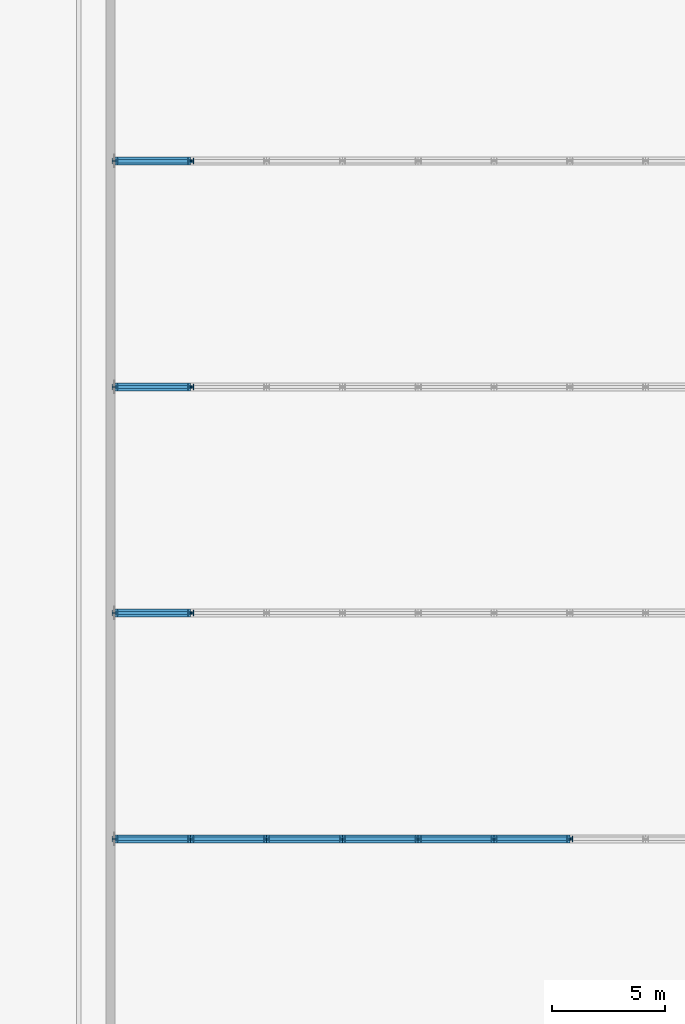
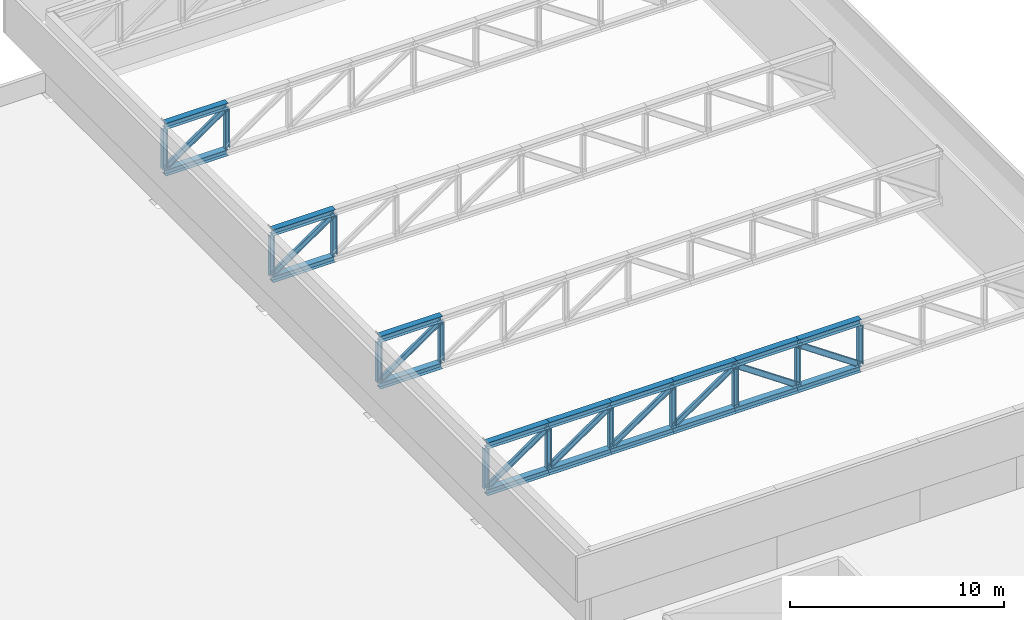
# One storey, part 10 of 31: 40 members.
"""IFC4 building model written with IfcOpenShell, lengths in metres."""

from ifc_helpers import new_model, si_unit, direction, frame, origin, origin_2d, place, context, subcontext, project, spatial, i_section, extrude, material, material_profile, profile_set, type_object, element, save


model = new_model("IFC4")

# Units and contexts
model_context = context("Model", 3, precision=1e-05, world=origin(), true_north=direction((0.0, 1.0)))
body_context = subcontext(model_context, "Body", "Model", "MODEL_VIEW")
ifc_project = project(units=[si_unit("LENGTHUNIT", "METRE"), si_unit("AREAUNIT", "SQUARE_METRE"), si_unit("VOLUMEUNIT", "CUBIC_METRE"), si_unit("PLANEANGLEUNIT", "RADIAN"), si_unit("MASSUNIT", "GRAM", prefix="KILO")], contexts=[model_context])

# Site, building, storey
site_placement = place(None, origin())
site = spatial("IfcSite", under=ifc_project, at=site_placement, CompositionType="ELEMENT")
building_placement = place(site_placement, origin())
building = spatial("IfcBuilding", under=site, at=building_placement, Name="Jabali Bay Hotel Tower and Convention Centre", CompositionType="ELEMENT")
storey_placement = place(building_placement, frame((0.0, 0.0, 25.39990234375)))
storey = spatial("IfcBuildingStorey", under=building, at=storey_placement, Name="L04", CompositionType="ELEMENT", Elevation=25.39990234375)

# Members
ifc_material = material(Name="Steel Q355B", Category="steel")
ifc_material_profile_1 = material_profile(ifc_material, i_section(OverallWidth=0.35009765625, OverallDepth=0.35009765625, WebThickness=0.011962890625, FlangeThickness=0.01904296875, at=origin_2d()), Name="HW350x350x12x19")
ifc_profile_set_1 = profile_set([ifc_material_profile_1], Name="Steel Q355B")
member_type_1 = type_object("IfcMemberType", Name="CC Roof Truss Chord HW350x350x12x19", PredefinedType="CHORD", material=ifc_profile_set_1)
for number, where, z_axis, x_axis, name in (
    (1, (220.89990234375, 70.0, 4.3251953125), (1.0, 0.0, 0.0), (0.0, 1.0, 0.0), "CC roof truss P1 top chord 1"),
    (2, (220.89990234375, 70.0, 1.675048828125), (1.0, 0.0, 0.0), (0.0, 1.0, 0.0), "CC roof truss P1 bottom chord 1"),
):
    element("IfcMember", number, at=place(storey_placement, frame(where, z_axis=z_axis, x_axis=x_axis)), inside=storey, type_object=member_type_1, Name=name, PredefinedType="CHORD", context=body_context, shape_type="SweptSolid", body=[
        extrude(i_section(OverallWidth=0.35009765625, OverallDepth=0.35009765625, WebThickness=0.011962890625, FlangeThickness=0.01904296875, at=origin_2d()), origin(), (0.0, 0.0, 1.0), 3.355712890625),
    ])
for number, where, z_axis, x_axis, name in (
    (3, (224.255615234375, 70.0, 4.3251953125), (1.0, 0.0, 0.0), (0.0, 1.0, 0.0), "CC roof truss P1 top chord 2"),
    (4, (224.255615234375, 70.0, 1.675048828125), (1.0, 0.0, 0.0), (0.0, 1.0, 0.0), "CC roof truss P1 bottom chord 2"),
    (5, (227.611083984375, 70.0, 4.3251953125), (1.0, 0.0, 0.0), (0.0, 1.0, 0.0), "CC roof truss P1 top chord 3"),
    (6, (227.611083984375, 70.0, 1.675048828125), (1.0, 0.0, 0.0), (0.0, 1.0, 0.0), "CC roof truss P1 bottom chord 3"),
):
    element("IfcMember", number, at=place(storey_placement, frame(where, z_axis=z_axis, x_axis=x_axis)), inside=storey, type_object=member_type_1, Name=name, PredefinedType="CHORD", context=body_context, shape_type="SweptSolid", body=[
        extrude(i_section(OverallWidth=0.35009765625, OverallDepth=0.35009765625, WebThickness=0.011962890625, FlangeThickness=0.01904296875, at=origin_2d()), origin(), (0.0, 0.0, 1.0), 3.35546875),
    ])
for number, where, z_axis, x_axis, name in (
    (7, (230.966552734375, 70.0, 4.3251953125), (1.0, 0.0, 0.0), (0.0, 1.0, 0.0), "CC roof truss P1 top chord 4"),
    (8, (230.966552734375, 70.0, 1.675048828125), (1.0, 0.0, 0.0), (0.0, 1.0, 0.0), "CC roof truss P1 bottom chord 4"),
):
    element("IfcMember", number, at=place(storey_placement, frame(where, z_axis=z_axis, x_axis=x_axis)), inside=storey, type_object=member_type_1, Name=name, PredefinedType="CHORD", context=body_context, shape_type="SweptSolid", body=[
        extrude(i_section(OverallWidth=0.35009765625, OverallDepth=0.35009765625, WebThickness=0.011962890625, FlangeThickness=0.01904296875, at=origin_2d()), origin(), (0.0, 0.0, 1.0), 3.355712890625),
    ])
for number, where, z_axis, x_axis, name in (
    (9, (234.322265625, 70.0, 4.3251953125), (1.0, 0.0, 0.0), (0.0, 1.0, 0.0), "CC roof truss P1 top chord 5"),
    (10, (234.322265625, 70.0, 1.675048828125), (1.0, 0.0, 0.0), (0.0, 1.0, 0.0), "CC roof truss P1 bottom chord 5"),
):
    element("IfcMember", number, at=place(storey_placement, frame(where, z_axis=z_axis, x_axis=x_axis)), inside=storey, type_object=member_type_1, Name=name, PredefinedType="CHORD", context=body_context, shape_type="SweptSolid", body=[
        extrude(i_section(OverallWidth=0.35009765625, OverallDepth=0.35009765625, WebThickness=0.011962890625, FlangeThickness=0.01904296875, at=origin_2d()), origin(), (0.0, 0.0, 1.0), 3.35546875),
    ])
for number, where, z_axis, x_axis, name in (
    (11, (237.677734375, 70.0, 4.3251953125), (1.0, 0.0, 0.0), (0.0, 1.0, 0.0), "CC roof truss P1 top chord 6"),
    (12, (237.677734375, 70.0, 1.675048828125), (1.0, 0.0, 0.0), (0.0, 1.0, 0.0), "CC roof truss P1 bottom chord 6"),
    (13, (220.89990234375, 80.0, 4.3251953125), (1.0, 0.0, 0.0), (0.0, 1.0, 0.0), "CC roof truss P2 top chord 1"),
    (14, (220.89990234375, 80.0, 1.675048828125), (1.0, 0.0, 0.0), (0.0, 1.0, 0.0), "CC roof truss P2 bottom chord 1"),
    (15, (220.89990234375, 90.0, 4.3251953125), (1.0, 0.0, 0.0), (0.0, 1.0, 0.0), "CC roof truss P3 top chord 1"),
    (16, (220.89990234375, 90.0, 1.675048828125), (1.0, 0.0, 0.0), (0.0, 1.0, 0.0), "CC roof truss P3 bottom chord 1"),
    (17, (220.89990234375, 100.0, 4.3251953125), (1.0, 0.0, 0.0), (0.0, 1.0, 0.0), "CC roof truss P4 top chord 1"),
    (18, (220.89990234375, 100.0, 1.675048828125), (1.0, 0.0, 0.0), (0.0, 1.0, 0.0), "CC roof truss P4 bottom chord 1"),
):
    element("IfcMember", number, at=place(storey_placement, frame(where, z_axis=z_axis, x_axis=x_axis)), inside=storey, type_object=member_type_1, Name=name, PredefinedType="CHORD", context=body_context, shape_type="SweptSolid", body=[
        extrude(i_section(OverallWidth=0.35009765625, OverallDepth=0.35009765625, WebThickness=0.011962890625, FlangeThickness=0.01904296875, at=origin_2d()), origin(), (0.0, 0.0, 1.0), 3.355712890625),
    ])
ifc_material_profile_2 = material_profile(ifc_material, i_section(OverallWidth=0.14990234375, OverallDepth=0.300048828125, WebThickness=0.006591796875, FlangeThickness=0.009033203125, at=origin_2d()), Name="HN300x150x6.5x9")
ifc_profile_set_2 = profile_set([ifc_material_profile_2], Name="Steel Q355B")
member_type_2 = type_object("IfcMemberType", Name="CC Roof Truss Diagonal HN300x150x6.5x9", PredefinedType="BRACE", material=ifc_profile_set_2)
member_1_placement = place(storey_placement, frame((220.89990234375, 70.0, 1.85009765625), z_axis=(0.824844790455, 0.0, 0.565359241243), x_axis=(0.0, 1.0, 0.0)))
element("IfcMember", 19, at=member_1_placement, inside=storey, type_object=member_type_2, Name="CC roof truss P1 diagonal 1", PredefinedType="BRACE", context=body_context, shape_type="SweptSolid", body=[
    extrude(i_section(OverallWidth=0.14990234375, OverallDepth=0.300048828125, WebThickness=0.006591796875, FlangeThickness=0.009033203125, at=origin_2d()), origin(), (0.0, 0.0, 1.0), 4.068359375),
])
for number, where, z_axis, x_axis, name in (
    (20, (224.255615234375, 70.0, 1.85009765625), (0.8248256078, 0.0, 0.565387227232), (0.0, 1.0, 0.0), "CC roof truss P1 diagonal 2"),
    (21, (227.611083984375, 70.0, 1.85009765625), (0.8248256078, 0.0, 0.565387227232), (0.0, 1.0, 0.0), "CC roof truss P1 diagonal 3"),
):
    element("IfcMember", number, at=place(storey_placement, frame(where, z_axis=z_axis, x_axis=x_axis)), inside=storey, type_object=member_type_2, Name=name, PredefinedType="BRACE", context=body_context, shape_type="SweptSolid", body=[
        extrude(i_section(OverallWidth=0.14990234375, OverallDepth=0.300048828125, WebThickness=0.006591796875, FlangeThickness=0.009033203125, at=origin_2d()), origin(), (0.0, 0.0, 1.0), 4.068115234375),
    ])
member_2_placement = place(storey_placement, frame((230.966552734375, 70.0, 1.85009765625), z_axis=(0.824844790455, 0.0, 0.565359241243), x_axis=(0.0, 1.0, 0.0)))
element("IfcMember", 22, at=member_2_placement, inside=storey, type_object=member_type_2, Name="CC roof truss P1 diagonal 4", PredefinedType="BRACE", context=body_context, shape_type="SweptSolid", body=[
    extrude(i_section(OverallWidth=0.14990234375, OverallDepth=0.300048828125, WebThickness=0.006591796875, FlangeThickness=0.009033203125, at=origin_2d()), origin(), (0.0, 0.0, 1.0), 4.068359375),
])
member_3_placement = place(storey_placement, frame((237.677734375, 70.0, 1.85009765625), z_axis=(-0.8248256078, 0.0, 0.565387227232), x_axis=(0.0, -1.0, 0.0)))
element("IfcMember", 23, at=member_3_placement, inside=storey, type_object=member_type_2, Name="CC roof truss P1 diagonal 5", PredefinedType="BRACE", context=body_context, shape_type="SweptSolid", body=[
    extrude(i_section(OverallWidth=0.14990234375, OverallDepth=0.300048828125, WebThickness=0.006591796875, FlangeThickness=0.009033203125, at=origin_2d()), origin(), (0.0, 0.0, 1.0), 4.068115234375),
])
for number, where, z_axis, x_axis, name in (
    (24, (241.033447265625, 70.0, 1.85009765625), (-0.824844790455, 0.0, 0.565359241243), (0.0, -1.0, 0.0), "CC roof truss P1 diagonal 6"),
    (25, (220.89990234375, 80.0, 1.85009765625), (0.824844790455, 0.0, 0.565359241243), (0.0, 1.0, 0.0), "CC roof truss P2 diagonal 1"),
    (26, (220.89990234375, 90.0, 1.85009765625), (0.824844790455, 0.0, 0.565359241243), (0.0, 1.0, 0.0), "CC roof truss P3 diagonal 1"),
    (27, (220.89990234375, 100.0, 1.85009765625), (0.824844790455, 0.0, 0.565359241243), (0.0, 1.0, 0.0), "CC roof truss P4 diagonal 1"),
):
    element("IfcMember", number, at=place(storey_placement, frame(where, z_axis=z_axis, x_axis=x_axis)), inside=storey, type_object=member_type_2, Name=name, PredefinedType="BRACE", context=body_context, shape_type="SweptSolid", body=[
        extrude(i_section(OverallWidth=0.14990234375, OverallDepth=0.300048828125, WebThickness=0.006591796875, FlangeThickness=0.009033203125, at=origin_2d()), origin(), (0.0, 0.0, 1.0), 4.068359375),
    ])
ifc_material_profile_3 = material_profile(ifc_material, i_section(OverallWidth=0.25, OverallDepth=0.25, WebThickness=0.009033203125, FlangeThickness=0.013916015625, at=origin_2d()), Name="HW250x250x9x14")
ifc_profile_set_3 = profile_set([ifc_material_profile_3], Name="Steel Q355B")
member_type_3 = type_object("IfcMemberType", Name="CC Roof Truss Post HW250x250x9x14", PredefinedType="POST", material=ifc_profile_set_3)
for number, where, z_axis, x_axis, name in (
    (28, (220.89990234375, 70.0, 1.85009765625), (0.0, 0.0, 1.0), (0.0, 1.0, 0.0), "CC roof truss P1 post 1"),
    (29, (224.255615234375, 70.0, 1.85009765625), (0.0, 0.0, 1.0), (0.0, 1.0, 0.0), "CC roof truss P1 post 2"),
    (30, (227.611083984375, 70.0, 1.85009765625), (0.0, 0.0, 1.0), (0.0, 1.0, 0.0), "CC roof truss P1 post 3"),
    (31, (230.966552734375, 70.0, 1.85009765625), (0.0, 0.0, 1.0), (0.0, 1.0, 0.0), "CC roof truss P1 post 4"),
    (32, (234.322265625, 70.0, 1.85009765625), (0.0, 0.0, 1.0), (0.0, 1.0, 0.0), "CC roof truss P1 post 5"),
    (33, (237.677734375, 70.0, 1.85009765625), (0.0, 0.0, 1.0), (0.0, 1.0, 0.0), "CC roof truss P1 post 6"),
    (34, (241.033447265625, 70.0, 1.85009765625), (0.0, 0.0, 1.0), (0.0, 1.0, 0.0), "CC roof truss P1 post 7"),
    (35, (220.89990234375, 80.0, 1.85009765625), (0.0, 0.0, 1.0), (0.0, 1.0, 0.0), "CC roof truss P2 post 1"),
    (36, (224.255615234375, 80.0, 1.85009765625), (0.0, 0.0, 1.0), (0.0, 1.0, 0.0), "CC roof truss P2 post 2"),
    (37, (220.89990234375, 90.0, 1.85009765625), (0.0, 0.0, 1.0), (0.0, 1.0, 0.0), "CC roof truss P3 post 1"),
    (38, (224.255615234375, 90.0, 1.85009765625), (0.0, 0.0, 1.0), (0.0, 1.0, 0.0), "CC roof truss P3 post 2"),
    (39, (220.89990234375, 100.0, 1.85009765625), (0.0, 0.0, 1.0), (0.0, 1.0, 0.0), "CC roof truss P4 post 1"),
    (40, (224.255615234375, 100.0, 1.85009765625), (0.0, 0.0, 1.0), (0.0, 1.0, 0.0), "CC roof truss P4 post 2"),
):
    element("IfcMember", number, at=place(storey_placement, frame(where, z_axis=z_axis, x_axis=x_axis)), inside=storey, type_object=member_type_3, Name=name, PredefinedType="POST", context=body_context, shape_type="SweptSolid", body=[
        extrude(i_section(OverallWidth=0.25, OverallDepth=0.25, WebThickness=0.009033203125, FlangeThickness=0.013916015625, at=origin_2d()), origin(), (0.0, 0.0, 1.0), 2.300048828125),
    ])

save(model, "model.ifc")
